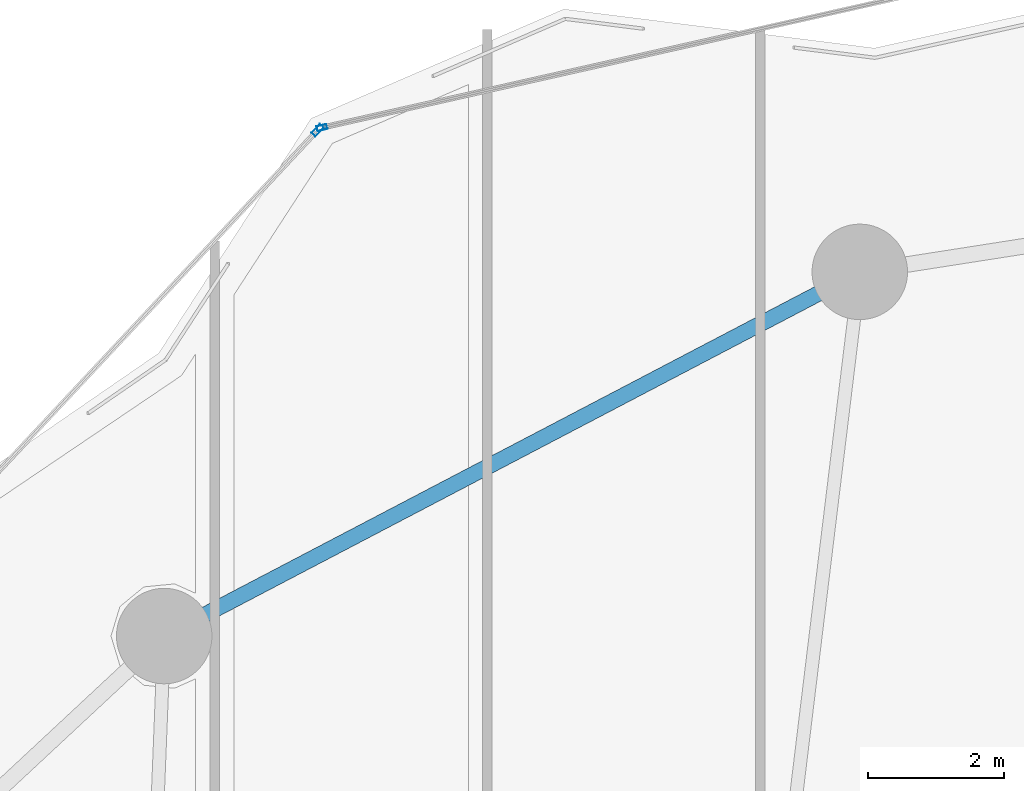
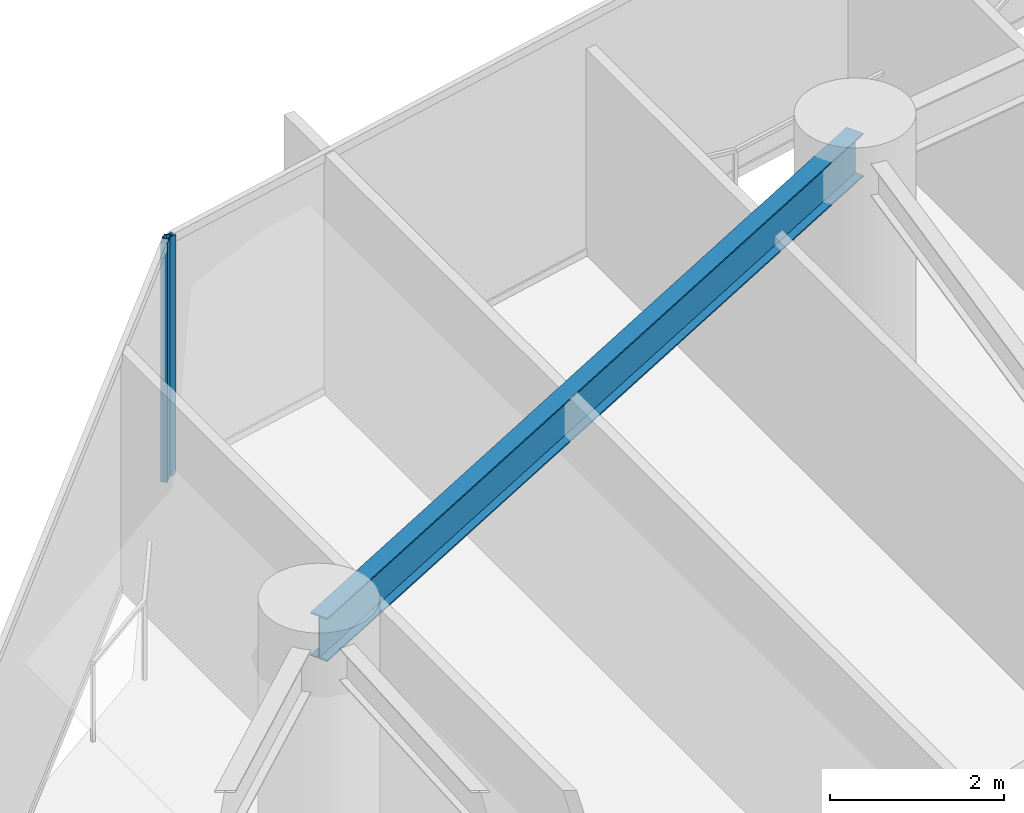
# One storey, part 18 of 32: 2 members, 1 beam, 2 elements without a shape of their own.
"""IFC4 building model written with IfcOpenShell, lengths in metres."""

import ifcopenshell
import ifcopenshell.guid

model = None  # the IFC model being written
_history = None  # IfcOwnerHistory: only IFC2X3 demands one
_inside = {}  # id of a spatial element -> (the spatial element, [elements in it])
_under = {}  # id of a project, library or spatial element -> (it, [spatial elements below it])
_declared = {}  # id of a project -> (the project, [libraries it declares])
_typed = {}  # id of a type object -> (the type object, [elements of that type])
_made_of = {}  # id of a material, layer set ... -> (it, [elements and type objects made of it])


def new_model(schema):
    """Start an empty IFC model of exactly this schema.

    Asked for "IFC4X3", IfcOpenShell would pick the latest addendum, in which some entities
    have other attributes; the version numbers below select the first issue.
    IFC2X3 requires an IfcOwnerHistory on every rooted entity: one is made here for all.
    """
    global model, _history
    if schema == "IFC4X3":
        model = ifcopenshell.file(schema_version=(4, 3, 0, 0))
    else:
        model = ifcopenshell.file(schema=schema)
    _inside.clear()
    _under.clear()
    _declared.clear()
    _typed.clear()
    _made_of.clear()
    _history = None
    if model.schema == "IFC2X3":
        org = make("IfcOrganization", Name="unknown")
        user = make(
            "IfcPersonAndOrganization",
            ThePerson=make("IfcPerson", FamilyName="unknown"),
            TheOrganization=org,
        )
        app = make(
            "IfcApplication",
            ApplicationDeveloper=org,
            Version="unknown",
            ApplicationFullName="unknown",
            ApplicationIdentifier="unknown",
        )
        _history = make(
            "IfcOwnerHistory",
            OwningUser=user,
            OwningApplication=app,
            ChangeAction="ADDED",
            CreationDate=0,
        )
    return model


def make(cls, **values):
    """One entity of the class cls with the attributes given. An attribute that is None is left unset."""
    return model.create_entity(
        cls, **{name: value for name, value in values.items() if value is not None}
    )


def rooted(cls, **values):
    """An entity with a GlobalId (a new one), such as an element, a storey or a relation."""
    return make(cls, GlobalId=ifcopenshell.guid.new(), OwnerHistory=_history, **values)


def si_unit(unit_type, name, prefix=None):
    """IfcSIUnit, for example si_unit("LENGTHUNIT", "METRE", prefix="MILLI")."""
    return make("IfcSIUnit", UnitType=unit_type, Prefix=prefix, Name=name)


def assignment(units):
    """IfcUnitAssignment: the units of a project."""
    return None if units is None else make("IfcUnitAssignment", Units=units)


def point(xyz):
    """IfcCartesianPoint."""
    return None if xyz is None else make("IfcCartesianPoint", Coordinates=xyz)


def direction(xyz):
    """IfcDirection."""
    return None if xyz is None else make("IfcDirection", DirectionRatios=xyz)


def frame(location, z_axis=None, x_axis=None):
    """IfcAxis2Placement3D, a coordinate frame: its origin and axes. An axis left out is left unset."""
    return make(
        "IfcAxis2Placement3D",
        Location=point(location),
        Axis=direction(z_axis),
        RefDirection=direction(x_axis),
    )


def frame_2d(location, x_axis=None):
    """IfcAxis2Placement2D, a coordinate frame in the plane: its origin and x axis."""
    return make(
        "IfcAxis2Placement2D", Location=point(location), RefDirection=direction(x_axis)
    )


def origin():
    """The frame at (0, 0, 0) with its axes left unset."""
    return frame((0.0, 0.0, 0.0))


def origin_2d():
    """The frame at (0, 0) in the plane with its x axis left unset."""
    return frame_2d((0.0, 0.0))


def place(relative_to, where):
    """IfcLocalPlacement: puts the frame where relative to a parent placement (None: the world)."""
    return make(
        "IfcLocalPlacement", PlacementRelTo=relative_to, RelativePlacement=where
    )


def context(
    kind, dimensions, precision=None, world=None, true_north=None, identifier=None
):
    """IfcGeometricRepresentationContext, for example the 3D "Model" context."""
    return make(
        "IfcGeometricRepresentationContext",
        ContextIdentifier=identifier,
        ContextType=kind,
        CoordinateSpaceDimension=dimensions,
        Precision=precision,
        WorldCoordinateSystem=world,
        TrueNorth=true_north,
    )


def subcontext(parent, identifier, kind, view, scale=None):
    """IfcGeometricRepresentationSubContext, for example "Body" below "Model"."""
    return make(
        "IfcGeometricRepresentationSubContext",
        ContextIdentifier=identifier,
        ContextType=kind,
        ParentContext=parent,
        TargetScale=scale,
        TargetView=view,
    )


def project(units=None, contexts=None):
    """IfcProject with its units and contexts."""
    return rooted(
        "IfcProject",
        Name="project",
        RepresentationContexts=contexts,
        UnitsInContext=assignment(units),
    )


def spatial(cls, under=None, at=None, **own):
    """A site, building, storey or space (cls), placed at a placement, below another one or the project."""
    s = rooted(cls, ObjectPlacement=at, **own)
    if under is not None:
        _under.setdefault(under.id(), (under, []))[1].append(s)
    return s


def profile(cls, at=None, kind="AREA", **sizes):
    """A parametric profile (cls). Its sizes go by their IFC names, for example OverallWidth=200.0."""
    return make(cls, ProfileType=kind, Position=at, **sizes)


def hollow_rectangle(**sizes):
    """IfcRectangleHollowProfileDef."""
    return profile("IfcRectangleHollowProfileDef", **sizes)


def i_section(**sizes):
    """IfcIShapeProfileDef."""
    return profile("IfcIShapeProfileDef", **sizes)


def extrude(swept, where, along, depth):
    """IfcExtrudedAreaSolid: the profile swept, set in the frame where, extruded along a direction by depth."""
    return make(
        "IfcExtrudedAreaSolid",
        SweptArea=swept,
        Position=where,
        ExtrudedDirection=direction(along),
        Depth=depth,
    )


def shape(context_of_items, identifier, shape_type, items):
    """IfcShapeRepresentation: the items that make up one representation, for example the "Body"."""
    return make(
        "IfcShapeRepresentation",
        ContextOfItems=context_of_items,
        RepresentationIdentifier=identifier,
        RepresentationType=shape_type,
        Items=items,
    )


def material(Name=None, Category=None):
    """IfcMaterial."""
    return make("IfcMaterial", Name=Name, Category=Category)


def layer(
    of_material, thickness, ventilated=None, Name=None, Category=None, Priority=None
):
    """IfcMaterialLayer: one layer of a wall or slab, of a material (None: an air gap)."""
    return make(
        "IfcMaterialLayer",
        Material=of_material,
        LayerThickness=thickness,
        IsVentilated=ventilated,
        Name=Name,
        Category=Category,
        Priority=Priority,
    )


def layer_set(layers, Name=None):
    """IfcMaterialLayerSet."""
    return make("IfcMaterialLayerSet", MaterialLayers=layers, LayerSetName=Name)


def material_profile(
    of_material, cross_section, Name=None, Category=None, Priority=None
):
    """IfcMaterialProfile: a cross section and its material."""
    return make(
        "IfcMaterialProfile",
        Name=Name,
        Material=of_material,
        Profile=cross_section,
        Priority=Priority,
        Category=Category,
    )


def profile_set(profiles, Name=None, composite=None):
    """IfcMaterialProfileSet."""
    return make(
        "IfcMaterialProfileSet",
        Name=Name,
        MaterialProfiles=profiles,
        CompositeProfile=composite,
    )


def made_of(thing, what):
    """Note that an element or type object is made of a material, layer set ...; save() writes the relation."""
    if what is not None:
        _made_of.setdefault(what.id(), (what, []))[1].append(thing)
    return thing


def type_object(cls, material=None, **own):
    """A type object (cls), such as IfcWallType, which elements share."""
    return made_of(rooted(cls, **own), material)


def element(
    cls,
    number,
    at=None,
    inside=None,
    cuts=None,
    type_object=None,
    material=None,
    context=None,
    identifier="Body",
    shape_type=None,
    held_by="IfcProductDefinitionShape",
    body=None,
    shapes=None,
    **own,
):
    """One element of the class cls, such as IfcWall. Its Tag is "e" and its number.

    at: its placement. inside: the storey or other place that contains it. cuts: it is an
    opening in that element (IfcRelVoidsElement). A single representation is given by context,
    identifier, shape_type and body (its items); several are given by shapes. held_by: the class
    of the entity that holds the representations. save() writes the other relations.
    """
    e = rooted(cls, Tag="e%d" % number, ObjectPlacement=at, **own)
    if body is not None:
        shapes = [shape(context, identifier, shape_type, body)]
    if shapes is not None:
        e.Representation = make(held_by, Representations=shapes)
    if inside is not None:
        _inside.setdefault(inside.id(), (inside, []))[1].append(e)
    if cuts is not None:
        rooted(
            "IfcRelVoidsElement", RelatingBuildingElement=cuts, RelatedOpeningElement=e
        )
    if type_object is not None:
        _typed.setdefault(type_object.id(), (type_object, []))[1].append(e)
    return made_of(e, material)


def aggregate(whole, parts):
    """IfcRelAggregates: a whole, such as a stair, and the parts it consists of."""
    return rooted("IfcRelAggregates", RelatingObject=whole, RelatedObjects=parts)


def save(model, path):
    """Write the relations noted so far, then the file.

    IfcRelAggregates (storeys below a building ...), IfcRelContainedInSpatialStructure (elements
    in a storey), IfcRelDefinesByType, IfcRelAssociatesMaterial and IfcRelDeclares: one each for
    every whole, place, type object, material and project.
    """
    for whole, parts in _under.values():
        aggregate(whole, parts)
    for where, things in _inside.values():
        rooted(
            "IfcRelContainedInSpatialStructure",
            RelatedElements=things,
            RelatingStructure=where,
        )
    for kind, things in _typed.values():
        rooted("IfcRelDefinesByType", RelatedObjects=things, RelatingType=kind)
    for what, things in _made_of.values():
        rooted("IfcRelAssociatesMaterial", RelatedObjects=things, RelatingMaterial=what)
    for by, libraries in _declared.values():
        rooted("IfcRelDeclares", RelatingContext=by, RelatedDefinitions=libraries)
    model.write(path)


model = new_model("IFC4")

# Units and contexts
model_context = context("Model", 3, precision=1e-05, world=origin(), true_north=direction((0.0, 1.0)))
body_context = subcontext(model_context, "Body", "Model", "MODEL_VIEW")
ifc_project = project(units=[si_unit("LENGTHUNIT", "METRE"), si_unit("AREAUNIT", "SQUARE_METRE"), si_unit("VOLUMEUNIT", "CUBIC_METRE"), si_unit("PLANEANGLEUNIT", "RADIAN"), si_unit("MASSUNIT", "GRAM", prefix="KILO")], contexts=[model_context])

# Site, building, storey
site_placement = place(None, origin())
site = spatial("IfcSite", under=ifc_project, at=site_placement, CompositionType="ELEMENT")
building_placement = place(site_placement, origin())
building = spatial("IfcBuilding", under=site, at=building_placement, Name="Kazevale Care Tower and Concert Hall", CompositionType="ELEMENT")
storey_placement = place(building_placement, frame((0.0, 0.0, 24.0)))
storey = spatial("IfcBuildingStorey", under=building, at=storey_placement, Name="L05", CompositionType="ELEMENT", Elevation=24.0)

# Curtain wall, member
ifc_material_1 = material(Name="Aluminium 6063-T6 and Low-E Glass", Category="aluminium")
ifc_layer_1 = layer(ifc_material_1, 0.179931640625)
ifc_layer_set_1 = layer_set([ifc_layer_1], Name="Aluminium 6063-T6 and Low-E Glass")
curtain_wall_type_1 = type_object("IfcCurtainWallType", Name="Convex Checkerboard Finned Curtain Wall CW-2", PredefinedType="NOTDEFINED", material=ifc_layer_set_1)
curtain_wall_1_placement = place(storey_placement, origin())
curtain_wall_1 = element("IfcCurtainWall", 1, at=curtain_wall_1_placement, inside=storey, type_object=curtain_wall_type_1, Name="cw:L05:f14", PredefinedType="NOTDEFINED")
ifc_material_2 = material(Name="Aluminium 6063-T6", Category="aluminium")
ifc_material_profile_1 = material_profile(ifc_material_2, hollow_rectangle(XDim=0.080078125, YDim=0.179931640625, WallThickness=0.0048828125, at=origin_2d()), Name="ALU80x180x5")
ifc_profile_set_1 = profile_set([ifc_material_profile_1], Name="Aluminium 6063-T6")
member_type_1 = type_object("IfcMemberType", Name="CW-2 Mullion ALU80x180x5", PredefinedType="MULLION", material=ifc_profile_set_1)
member_1_placement = place(storey_placement, frame((25.009765625, 62.847900390625, 0.0), z_axis=(0.0, 0.0, 1.0), x_axis=(-0.730363049987, 0.683059159381, 0.0)))
member_1 = element("IfcMember", 2, at=member_1_placement, type_object=member_type_1, Name="CW-2 mullion 2", PredefinedType="MULLION", context=body_context, shape_type="SweptSolid", body=[
    extrude(hollow_rectangle(XDim=0.080078125, YDim=0.179931640625, WallThickness=0.0048828125, at=origin_2d()), origin(), (0.0, 0.0, 1.0), 3.360107421875),
])
aggregate(curtain_wall_1, [member_1])

ifc_layer_2 = layer(ifc_material_1, 0.179931640625)
ifc_layer_set_2 = layer_set([ifc_layer_2], Name="Aluminium 6063-T6 and Low-E Glass")
curtain_wall_type_2 = type_object("IfcCurtainWallType", Name="Convex Recessed Sunroom Curtain Wall CW-3", PredefinedType="NOTDEFINED", material=ifc_layer_set_2)
curtain_wall_2_placement = place(storey_placement, origin())
curtain_wall_2 = element("IfcCurtainWall", 3, at=curtain_wall_2_placement, inside=storey, type_object=curtain_wall_type_2, Name="cw:L05:f15", PredefinedType="NOTDEFINED")
ifc_material_profile_2 = material_profile(ifc_material_2, hollow_rectangle(XDim=0.074951171875, YDim=0.14990234375, WallThickness=0.00390625, at=origin_2d()), Name="ALU75x150x4")
ifc_profile_set_2 = profile_set([ifc_material_profile_2], Name="Aluminium 6063-T6")
member_type_2 = type_object("IfcMemberType", Name="CW-3 Mullion ALU75x150x4", PredefinedType="MULLION", material=ifc_profile_set_2)
member_2_placement = place(storey_placement, frame((25.073486328125, 62.88525390625, 0.0), z_axis=(0.0, 0.0, 1.0), x_axis=(-0.219910670667, 0.975520013596, 0.0)))
member_2 = element("IfcMember", 4, at=member_2_placement, type_object=member_type_2, Name="CW-3 mullion 1", PredefinedType="MULLION", context=body_context, shape_type="SweptSolid", body=[
    extrude(hollow_rectangle(XDim=0.074951171875, YDim=0.14990234375, WallThickness=0.00390625, at=origin_2d()), origin(), (0.0, 0.0, 1.0), 3.360107421875),
])
aggregate(curtain_wall_2, [member_2])

# Beam
ifc_material_3 = material(Name="Steel ASTM A572 Gr 50", Category="steel")
ifc_material_profile_3 = material_profile(ifc_material_3, i_section(OverallWidth=0.22900390625, OverallDepth=0.612060546875, WebThickness=0.011962890625, FlangeThickness=0.01953125, at=origin_2d()), Name="W610x125")
ifc_profile_set_3 = profile_set([ifc_material_profile_3], Name="Steel ASTM A572 Gr 50")
beam_type = type_object("IfcBeamType", Name="Ring Spandrel Beam W610x125", PredefinedType="SPANDREL", material=ifc_profile_set_3)
beam_placement = place(storey_placement, frame((32.9599609375, 60.77001953125, 3.053955078125), z_axis=(-0.885929466679, -0.463819986708, 0.0), x_axis=(0.463819986708, -0.885929466679, 0.0)))
element("IfcBeam", 5, at=beam_placement, inside=storey, type_object=beam_type, Name="beam:L05:ring:06", PredefinedType="SPANDREL", context=body_context, shape_type="SweptSolid", body=[
    extrude(i_section(OverallWidth=0.22900390625, OverallDepth=0.612060546875, WebThickness=0.011962890625, FlangeThickness=0.01953125, at=origin_2d()), origin(), (0.0, 0.0, 1.0), 11.51318359375),
])

save(model, "model.ifc")
